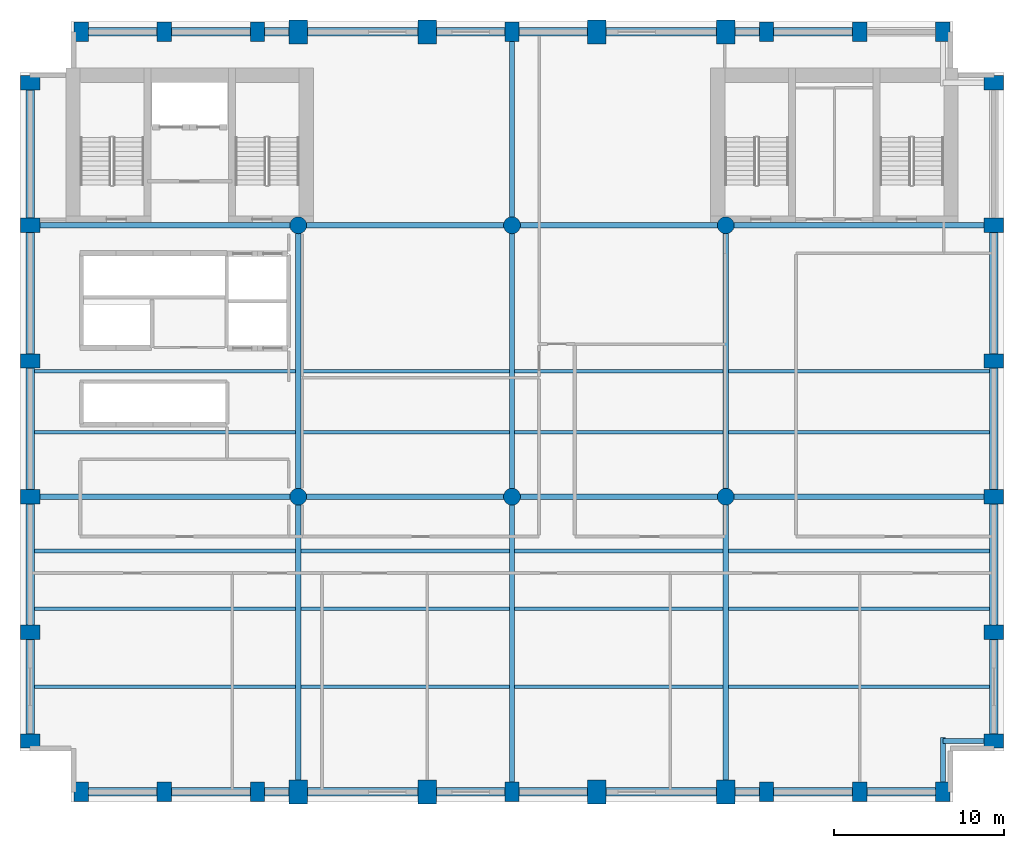
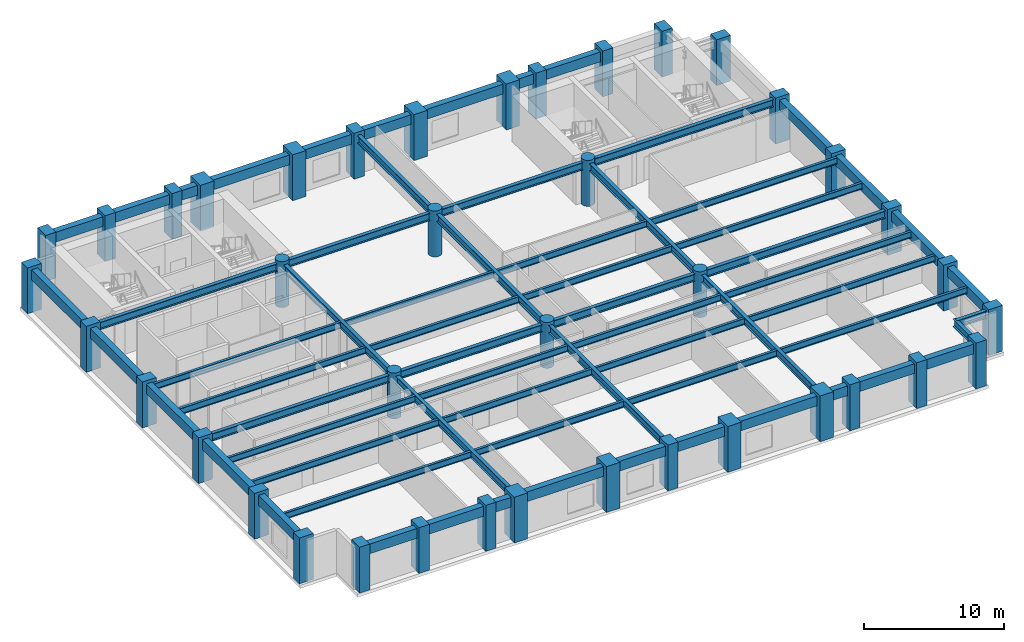
# One storey, part 1 of 7: 65 beams, 40 columns.
"""IFC4 building model written with IfcOpenShell, lengths in metres."""

import ifcopenshell
import ifcopenshell.guid

model = None  # the IFC model being written
_history = None  # IfcOwnerHistory: only IFC2X3 demands one
_inside = {}  # id of a spatial element -> (the spatial element, [elements in it])
_under = {}  # id of a project, library or spatial element -> (it, [spatial elements below it])
_declared = {}  # id of a project -> (the project, [libraries it declares])
_typed = {}  # id of a type object -> (the type object, [elements of that type])
_made_of = {}  # id of a material, layer set ... -> (it, [elements and type objects made of it])


def new_model(schema):
    """Start an empty IFC model of exactly this schema.

    Asked for "IFC4X3", IfcOpenShell would pick the latest addendum, in which some entities
    have other attributes; the version numbers below select the first issue.
    IFC2X3 requires an IfcOwnerHistory on every rooted entity: one is made here for all.
    """
    global model, _history
    if schema == "IFC4X3":
        model = ifcopenshell.file(schema_version=(4, 3, 0, 0))
    else:
        model = ifcopenshell.file(schema=schema)
    _inside.clear()
    _under.clear()
    _declared.clear()
    _typed.clear()
    _made_of.clear()
    _history = None
    if model.schema == "IFC2X3":
        org = make("IfcOrganization", Name="unknown")
        user = make(
            "IfcPersonAndOrganization",
            ThePerson=make("IfcPerson", FamilyName="unknown"),
            TheOrganization=org,
        )
        app = make(
            "IfcApplication",
            ApplicationDeveloper=org,
            Version="unknown",
            ApplicationFullName="unknown",
            ApplicationIdentifier="unknown",
        )
        _history = make(
            "IfcOwnerHistory",
            OwningUser=user,
            OwningApplication=app,
            ChangeAction="ADDED",
            CreationDate=0,
        )
    return model


def make(cls, **values):
    """One entity of the class cls with the attributes given. An attribute that is None is left unset."""
    return model.create_entity(
        cls, **{name: value for name, value in values.items() if value is not None}
    )


def rooted(cls, **values):
    """An entity with a GlobalId (a new one), such as an element, a storey or a relation."""
    return make(cls, GlobalId=ifcopenshell.guid.new(), OwnerHistory=_history, **values)


def si_unit(unit_type, name, prefix=None):
    """IfcSIUnit, for example si_unit("LENGTHUNIT", "METRE", prefix="MILLI")."""
    return make("IfcSIUnit", UnitType=unit_type, Prefix=prefix, Name=name)


def assignment(units):
    """IfcUnitAssignment: the units of a project."""
    return None if units is None else make("IfcUnitAssignment", Units=units)


def point(xyz):
    """IfcCartesianPoint."""
    return None if xyz is None else make("IfcCartesianPoint", Coordinates=xyz)


def direction(xyz):
    """IfcDirection."""
    return None if xyz is None else make("IfcDirection", DirectionRatios=xyz)


def frame(location, z_axis=None, x_axis=None):
    """IfcAxis2Placement3D, a coordinate frame: its origin and axes. An axis left out is left unset."""
    return make(
        "IfcAxis2Placement3D",
        Location=point(location),
        Axis=direction(z_axis),
        RefDirection=direction(x_axis),
    )


def frame_2d(location, x_axis=None):
    """IfcAxis2Placement2D, a coordinate frame in the plane: its origin and x axis."""
    return make(
        "IfcAxis2Placement2D", Location=point(location), RefDirection=direction(x_axis)
    )


def origin():
    """The frame at (0, 0, 0) with its axes left unset."""
    return frame((0.0, 0.0, 0.0))


def origin_2d():
    """The frame at (0, 0) in the plane with its x axis left unset."""
    return frame_2d((0.0, 0.0))


def place(relative_to, where):
    """IfcLocalPlacement: puts the frame where relative to a parent placement (None: the world)."""
    return make(
        "IfcLocalPlacement", PlacementRelTo=relative_to, RelativePlacement=where
    )


def context(
    kind, dimensions, precision=None, world=None, true_north=None, identifier=None
):
    """IfcGeometricRepresentationContext, for example the 3D "Model" context."""
    return make(
        "IfcGeometricRepresentationContext",
        ContextIdentifier=identifier,
        ContextType=kind,
        CoordinateSpaceDimension=dimensions,
        Precision=precision,
        WorldCoordinateSystem=world,
        TrueNorth=true_north,
    )


def subcontext(parent, identifier, kind, view, scale=None):
    """IfcGeometricRepresentationSubContext, for example "Body" below "Model"."""
    return make(
        "IfcGeometricRepresentationSubContext",
        ContextIdentifier=identifier,
        ContextType=kind,
        ParentContext=parent,
        TargetScale=scale,
        TargetView=view,
    )


def project(units=None, contexts=None):
    """IfcProject with its units and contexts."""
    return rooted(
        "IfcProject",
        Name="project",
        RepresentationContexts=contexts,
        UnitsInContext=assignment(units),
    )


def spatial(cls, under=None, at=None, **own):
    """A site, building, storey or space (cls), placed at a placement, below another one or the project."""
    s = rooted(cls, ObjectPlacement=at, **own)
    if under is not None:
        _under.setdefault(under.id(), (under, []))[1].append(s)
    return s


def profile(cls, at=None, kind="AREA", **sizes):
    """A parametric profile (cls). Its sizes go by their IFC names, for example OverallWidth=200.0."""
    return make(cls, ProfileType=kind, Position=at, **sizes)


def rectangle(**sizes):
    """IfcRectangleProfileDef."""
    return profile("IfcRectangleProfileDef", **sizes)


def circle(**sizes):
    """IfcCircleProfileDef."""
    return profile("IfcCircleProfileDef", **sizes)


def i_section(**sizes):
    """IfcIShapeProfileDef."""
    return profile("IfcIShapeProfileDef", **sizes)


def extrude(swept, where, along, depth):
    """IfcExtrudedAreaSolid: the profile swept, set in the frame where, extruded along a direction by depth."""
    return make(
        "IfcExtrudedAreaSolid",
        SweptArea=swept,
        Position=where,
        ExtrudedDirection=direction(along),
        Depth=depth,
    )


def shape(context_of_items, identifier, shape_type, items):
    """IfcShapeRepresentation: the items that make up one representation, for example the "Body"."""
    return make(
        "IfcShapeRepresentation",
        ContextOfItems=context_of_items,
        RepresentationIdentifier=identifier,
        RepresentationType=shape_type,
        Items=items,
    )


def material(Name=None, Category=None):
    """IfcMaterial."""
    return make("IfcMaterial", Name=Name, Category=Category)


def material_profile(
    of_material, cross_section, Name=None, Category=None, Priority=None
):
    """IfcMaterialProfile: a cross section and its material."""
    return make(
        "IfcMaterialProfile",
        Name=Name,
        Material=of_material,
        Profile=cross_section,
        Priority=Priority,
        Category=Category,
    )


def profile_set(profiles, Name=None, composite=None):
    """IfcMaterialProfileSet."""
    return make(
        "IfcMaterialProfileSet",
        Name=Name,
        MaterialProfiles=profiles,
        CompositeProfile=composite,
    )


def made_of(thing, what):
    """Note that an element or type object is made of a material, layer set ...; save() writes the relation."""
    if what is not None:
        _made_of.setdefault(what.id(), (what, []))[1].append(thing)
    return thing


def type_object(cls, material=None, **own):
    """A type object (cls), such as IfcWallType, which elements share."""
    return made_of(rooted(cls, **own), material)


def element(
    cls,
    number,
    at=None,
    inside=None,
    cuts=None,
    type_object=None,
    material=None,
    context=None,
    identifier="Body",
    shape_type=None,
    held_by="IfcProductDefinitionShape",
    body=None,
    shapes=None,
    **own,
):
    """One element of the class cls, such as IfcWall. Its Tag is "e" and its number.

    at: its placement. inside: the storey or other place that contains it. cuts: it is an
    opening in that element (IfcRelVoidsElement). A single representation is given by context,
    identifier, shape_type and body (its items); several are given by shapes. held_by: the class
    of the entity that holds the representations. save() writes the other relations.
    """
    e = rooted(cls, Tag="e%d" % number, ObjectPlacement=at, **own)
    if body is not None:
        shapes = [shape(context, identifier, shape_type, body)]
    if shapes is not None:
        e.Representation = make(held_by, Representations=shapes)
    if inside is not None:
        _inside.setdefault(inside.id(), (inside, []))[1].append(e)
    if cuts is not None:
        rooted(
            "IfcRelVoidsElement", RelatingBuildingElement=cuts, RelatedOpeningElement=e
        )
    if type_object is not None:
        _typed.setdefault(type_object.id(), (type_object, []))[1].append(e)
    return made_of(e, material)


def aggregate(whole, parts):
    """IfcRelAggregates: a whole, such as a stair, and the parts it consists of."""
    return rooted("IfcRelAggregates", RelatingObject=whole, RelatedObjects=parts)


def save(model, path):
    """Write the relations noted so far, then the file.

    IfcRelAggregates (storeys below a building ...), IfcRelContainedInSpatialStructure (elements
    in a storey), IfcRelDefinesByType, IfcRelAssociatesMaterial and IfcRelDeclares: one each for
    every whole, place, type object, material and project.
    """
    for whole, parts in _under.values():
        aggregate(whole, parts)
    for where, things in _inside.values():
        rooted(
            "IfcRelContainedInSpatialStructure",
            RelatedElements=things,
            RelatingStructure=where,
        )
    for kind, things in _typed.values():
        rooted("IfcRelDefinesByType", RelatedObjects=things, RelatingType=kind)
    for what, things in _made_of.values():
        rooted("IfcRelAssociatesMaterial", RelatedObjects=things, RelatingMaterial=what)
    for by, libraries in _declared.values():
        rooted("IfcRelDeclares", RelatingContext=by, RelatedDefinitions=libraries)
    model.write(path)


model = new_model("IFC4")

# Units and contexts
model_context = context("Model", 3, precision=1e-05, world=origin(), true_north=direction((0.0, 1.0)))
body_context = subcontext(model_context, "Body", "Model", "MODEL_VIEW")
ifc_project = project(units=[si_unit("LENGTHUNIT", "METRE"), si_unit("AREAUNIT", "SQUARE_METRE"), si_unit("VOLUMEUNIT", "CUBIC_METRE"), si_unit("PLANEANGLEUNIT", "RADIAN"), si_unit("MASSUNIT", "GRAM", prefix="KILO")], contexts=[model_context])

# Site, building, storey
site_placement = place(None, origin())
site = spatial("IfcSite", under=ifc_project, at=site_placement, CompositionType="ELEMENT")
building_placement = place(site_placement, origin())
building = spatial("IfcBuilding", under=site, at=building_placement, Name="Sulina Concourse Tower", CompositionType="ELEMENT")
storey_placement = place(building_placement, frame((0.0, 0.0, 92.60009765625)))
storey = spatial("IfcBuildingStorey", under=building, at=storey_placement, Name="L22", CompositionType="ELEMENT", Elevation=92.60009765625)

# Columns
ifc_material_1 = material(Name="Concrete C60/75", Category="concrete")
ifc_material_profile_1 = material_profile(ifc_material_1, circle(Radius=0.5, at=origin_2d()), Name="RC D1000")
ifc_profile_set_1 = profile_set([ifc_material_profile_1], Name="Concrete C60/75")
column_type_1 = type_object("IfcColumnType", Name="Lower Interior Circular Column D1000", PredefinedType="COLUMN", material=ifc_profile_set_1)
for number, where, z_axis, x_axis, name in (
    (1, (16.39990234375, 18.0, 0.0), (0.0, 0.0, 1.0), (1.0, 0.0, 0.0), "L22 structural column IC-M-164"),
    (2, (16.39990234375, 34.0, 0.0), (0.0, 0.0, 1.0), (1.0, 0.0, 0.0), "L22 structural column IC-N-164"),
    (3, (29.0, 18.0, 0.0), (0.0, 0.0, 1.0), (1.0, 0.0, 0.0), "L22 structural column IC-M-290"),
    (4, (29.0, 34.0, 0.0), (0.0, 0.0, 1.0), (1.0, 0.0, 0.0), "L22 structural column IC-N-290"),
    (5, (41.60009765625, 18.0, 0.0), (0.0, 0.0, 1.0), (1.0, 0.0, 0.0), "L22 structural column IC-M-416"),
    (6, (41.60009765625, 34.0, 0.0), (0.0, 0.0, 1.0), (1.0, 0.0, 0.0), "L22 structural column IC-N-416"),
):
    element("IfcColumn", number, at=place(storey_placement, frame(where, z_axis=z_axis, x_axis=x_axis)), inside=storey, type_object=column_type_1, Name=name, PredefinedType="COLUMN", context=body_context, shape_type="SweptSolid", body=[
        extrude(circle(Radius=0.5, at=origin_2d()), origin(), (0.0, 0.0, 1.0), 4.0),
    ])
ifc_material_2 = material(Name="Concrete C60/75", Category="concrete")
ifc_material_profile_2 = material_profile(ifc_material_2, rectangle(XDim=1.10009765625, YDim=1.39990234375, at=origin_2d()), Name="RC 1100x1400")
ifc_profile_set_2 = profile_set([ifc_material_profile_2], Name="Concrete C60/75")
column_type_2 = type_object("IfcColumnType", Name="Mid-Rise Portal Column 1100x1400", PredefinedType="COLUMN", material=ifc_profile_set_2)
for number, where, z_axis, x_axis, name in (
    (7, (16.39990234375, 0.60009765625, 0.0), (0.0, 0.0, 1.0), (1.0, 0.0, 0.0), "L22 structural column TP-S-164"),
    (8, (16.39990234375, 45.39990234375, 0.0), (0.0, 0.0, 1.0), (1.0, 0.0, 0.0), "L22 structural column TP-N-164"),
    (9, (24.0, 0.60009765625, 0.0), (0.0, 0.0, 1.0), (1.0, 0.0, 0.0), "L22 structural column TP-S-240"),
    (10, (24.0, 45.39990234375, 0.0), (0.0, 0.0, 1.0), (1.0, 0.0, 0.0), "L22 structural column TP-N-240"),
    (11, (34.0, 0.60009765625, 0.0), (0.0, 0.0, 1.0), (1.0, 0.0, 0.0), "L22 structural column TP-S-340"),
    (12, (34.0, 45.39990234375, 0.0), (0.0, 0.0, 1.0), (1.0, 0.0, 0.0), "L22 structural column TP-N-340"),
    (13, (41.60009765625, 0.60009765625, 0.0), (0.0, 0.0, 1.0), (1.0, 0.0, 0.0), "L22 structural column TP-S-416"),
    (14, (41.60009765625, 45.39990234375, 0.0), (0.0, 0.0, 1.0), (1.0, 0.0, 0.0), "L22 structural column TP-N-416"),
):
    element("IfcColumn", number, at=place(storey_placement, frame(where, z_axis=z_axis, x_axis=x_axis)), inside=storey, type_object=column_type_2, Name=name, PredefinedType="COLUMN", context=body_context, shape_type="SweptSolid", body=[
        extrude(rectangle(XDim=1.10009765625, YDim=1.39990234375, at=origin_2d()), origin(), (0.0, 0.0, 1.0), 4.0),
    ])
ifc_material_3 = material(Name="Precast concrete C60/75", Category="concrete")
ifc_material_profile_3 = material_profile(ifc_material_3, rectangle(XDim=0.85009765625, YDim=1.14990234375, at=origin_2d()), Name="PC 850x1150")
ifc_profile_set_3 = profile_set([ifc_material_profile_3], Name="Precast concrete C60/75")
column_type_3 = type_object("IfcColumnType", Name="Precast Tube Pier Zone 2 850x1150", PredefinedType="COLUMN", material=ifc_profile_set_3)
for number, where, z_axis, x_axis, name in (
    (15, (3.60009765625, 0.60009765625, 0.0), (0.0, 0.0, 1.0), (1.0, 0.0, 0.0), "L22 structural column TP-S-36"),
    (16, (3.60009765625, 45.39990234375, 0.0), (0.0, 0.0, 1.0), (1.0, 0.0, 0.0), "L22 structural column TP-N-36"),
    (17, (8.5, 0.60009765625, 0.0), (0.0, 0.0, 1.0), (1.0, 0.0, 0.0), "L22 structural column TP-S-85"),
    (18, (8.5, 45.39990234375, 0.0), (0.0, 0.0, 1.0), (1.0, 0.0, 0.0), "L22 structural column TP-N-85"),
    (19, (14.0, 0.60009765625, 0.0), (0.0, 0.0, 1.0), (1.0, 0.0, 0.0), "L22 structural column TP-S-140"),
    (20, (14.0, 45.39990234375, 0.0), (0.0, 0.0, 1.0), (1.0, 0.0, 0.0), "L22 structural column TP-N-140"),
    (21, (29.0, 0.60009765625, 0.0), (0.0, 0.0, 1.0), (1.0, 0.0, 0.0), "L22 structural column TP-S-290"),
    (22, (29.0, 45.39990234375, 0.0), (0.0, 0.0, 1.0), (1.0, 0.0, 0.0), "L22 structural column TP-N-290"),
    (23, (44.0, 0.60009765625, 0.0), (0.0, 0.0, 1.0), (1.0, 0.0, 0.0), "L22 structural column TP-S-440"),
    (24, (44.0, 45.39990234375, 0.0), (0.0, 0.0, 1.0), (1.0, 0.0, 0.0), "L22 structural column TP-N-440"),
    (25, (49.5, 0.60009765625, 0.0), (0.0, 0.0, 1.0), (1.0, 0.0, 0.0), "L22 structural column TP-S-495"),
    (26, (49.5, 45.39990234375, 0.0), (0.0, 0.0, 1.0), (1.0, 0.0, 0.0), "L22 structural column TP-N-495"),
    (27, (54.39990234375, 0.60009765625, 0.0), (0.0, 0.0, 1.0), (1.0, 0.0, 0.0), "L22 structural column TP-S-544"),
    (28, (54.39990234375, 45.39990234375, 0.0), (0.0, 0.0, 1.0), (1.0, 0.0, 0.0), "L22 structural column TP-N-544"),
    (29, (0.60009765625, 3.60009765625, 0.0), (0.0, 0.0, 1.0), (0.0, 1.0, 0.0), "L22 structural column TP-W-36"),
    (30, (57.39990234375, 3.60009765625, 0.0), (0.0, 0.0, 1.0), (0.0, 1.0, 0.0), "L22 structural column TP-E-36"),
    (31, (0.60009765625, 10.0, 0.0), (0.0, 0.0, 1.0), (0.0, 1.0, 0.0), "L22 structural column TP-W-100"),
    (32, (57.39990234375, 10.0, 0.0), (0.0, 0.0, 1.0), (0.0, 1.0, 0.0), "L22 structural column TP-E-100"),
    (33, (0.60009765625, 18.0, 0.0), (0.0, 0.0, 1.0), (0.0, 1.0, 0.0), "L22 structural column TP-W-180"),
    (34, (57.39990234375, 18.0, 0.0), (0.0, 0.0, 1.0), (0.0, 1.0, 0.0), "L22 structural column TP-E-180"),
    (35, (0.60009765625, 26.0, 0.0), (0.0, 0.0, 1.0), (0.0, 1.0, 0.0), "L22 structural column TP-W-260"),
    (36, (57.39990234375, 26.0, 0.0), (0.0, 0.0, 1.0), (0.0, 1.0, 0.0), "L22 structural column TP-E-260"),
    (37, (0.60009765625, 34.0, 0.0), (0.0, 0.0, 1.0), (0.0, 1.0, 0.0), "L22 structural column TP-W-340"),
    (38, (57.39990234375, 34.0, 0.0), (0.0, 0.0, 1.0), (0.0, 1.0, 0.0), "L22 structural column TP-E-340"),
    (39, (0.60009765625, 42.39990234375, 0.0), (0.0, 0.0, 1.0), (0.0, 1.0, 0.0), "L22 structural column TP-W-424"),
    (40, (57.39990234375, 42.39990234375, 0.0), (0.0, 0.0, 1.0), (0.0, 1.0, 0.0), "L22 structural column TP-E-424"),
):
    element("IfcColumn", number, at=place(storey_placement, frame(where, z_axis=z_axis, x_axis=x_axis)), inside=storey, type_object=column_type_3, Name=name, PredefinedType="COLUMN", context=body_context, shape_type="SweptSolid", body=[
        extrude(rectangle(XDim=0.85009765625, YDim=1.14990234375, at=origin_2d()), origin(), (0.0, 0.0, 1.0), 4.0),
    ])

# Beams
ifc_material_4 = material(Name="Steel S355", Category="steel")
ifc_material_profile_4 = material_profile(ifc_material_4, i_section(OverallWidth=0.2099609375, OverallDepth=0.550048828125, WebThickness=0.010986328125, FlangeThickness=0.01708984375, at=origin_2d()), Name="IPE 550")
ifc_profile_set_4 = profile_set([ifc_material_profile_4], Name="Steel S355")
beam_type_1 = type_object("IfcBeamType", Name="Composite Floor Joist IPE550", PredefinedType="JOIST", material=ifc_profile_set_4)
beam_1_placement = place(storey_placement, frame((0.85009765625, 6.800048828125, 3.449951171875), z_axis=(1.0, 0.0, 0.0), x_axis=(0.0, 1.0, 0.0)))
element("IfcBeam", 41, at=beam_1_placement, inside=storey, type_object=beam_type_1, Name="FJ-J06-1-L22", PredefinedType="JOIST", context=body_context, shape_type="SweptSolid", body=[
    extrude(i_section(OverallWidth=0.2099609375, OverallDepth=0.550048828125, WebThickness=0.010986328125, FlangeThickness=0.01708984375, at=origin_2d()), origin(), (0.0, 0.0, 1.0), 15.39990234375),
])
for number, where, z_axis, x_axis, name in (
    (42, (16.550048828125, 6.800048828125, 3.449951171875), (1.0, 0.0, 0.0), (0.0, 1.0, 0.0), "FJ-J06-2-L22"),
    (43, (29.14990234375, 6.800048828125, 3.449951171875), (1.0, 0.0, 0.0), (0.0, 1.0, 0.0), "FJ-J06-3-L22"),
):
    element("IfcBeam", number, at=place(storey_placement, frame(where, z_axis=z_axis, x_axis=x_axis)), inside=storey, type_object=beam_type_1, Name=name, PredefinedType="JOIST", context=body_context, shape_type="SweptSolid", body=[
        extrude(i_section(OverallWidth=0.2099609375, OverallDepth=0.550048828125, WebThickness=0.010986328125, FlangeThickness=0.01708984375, at=origin_2d()), origin(), (0.0, 0.0, 1.0), 12.300048828125),
    ])
for number, where, z_axis, x_axis, name in (
    (44, (41.75, 6.800048828125, 3.449951171875), (1.0, 0.0, 0.0), (0.0, 1.0, 0.0), "FJ-J06-4-L22"),
    (45, (0.85009765625, 11.39990234375, 3.449951171875), (1.0, 0.0, 0.0), (0.0, 1.0, 0.0), "FJ-J11-1-L22"),
):
    element("IfcBeam", number, at=place(storey_placement, frame(where, z_axis=z_axis, x_axis=x_axis)), inside=storey, type_object=beam_type_1, Name=name, PredefinedType="JOIST", context=body_context, shape_type="SweptSolid", body=[
        extrude(i_section(OverallWidth=0.2099609375, OverallDepth=0.550048828125, WebThickness=0.010986328125, FlangeThickness=0.01708984375, at=origin_2d()), origin(), (0.0, 0.0, 1.0), 15.39990234375),
    ])
for number, where, z_axis, x_axis, name in (
    (46, (16.550048828125, 11.39990234375, 3.449951171875), (1.0, 0.0, 0.0), (0.0, 1.0, 0.0), "FJ-J11-2-L22"),
    (47, (29.14990234375, 11.39990234375, 3.449951171875), (1.0, 0.0, 0.0), (0.0, 1.0, 0.0), "FJ-J11-3-L22"),
):
    element("IfcBeam", number, at=place(storey_placement, frame(where, z_axis=z_axis, x_axis=x_axis)), inside=storey, type_object=beam_type_1, Name=name, PredefinedType="JOIST", context=body_context, shape_type="SweptSolid", body=[
        extrude(i_section(OverallWidth=0.2099609375, OverallDepth=0.550048828125, WebThickness=0.010986328125, FlangeThickness=0.01708984375, at=origin_2d()), origin(), (0.0, 0.0, 1.0), 12.300048828125),
    ])
for number, where, z_axis, x_axis, name in (
    (48, (41.75, 11.39990234375, 3.449951171875), (1.0, 0.0, 0.0), (0.0, 1.0, 0.0), "FJ-J11-4-L22"),
    (49, (0.85009765625, 14.800048828125, 3.449951171875), (1.0, 0.0, 0.0), (0.0, 1.0, 0.0), "FJ-J15-1-L22"),
):
    element("IfcBeam", number, at=place(storey_placement, frame(where, z_axis=z_axis, x_axis=x_axis)), inside=storey, type_object=beam_type_1, Name=name, PredefinedType="JOIST", context=body_context, shape_type="SweptSolid", body=[
        extrude(i_section(OverallWidth=0.2099609375, OverallDepth=0.550048828125, WebThickness=0.010986328125, FlangeThickness=0.01708984375, at=origin_2d()), origin(), (0.0, 0.0, 1.0), 15.39990234375),
    ])
for number, where, z_axis, x_axis, name in (
    (50, (16.550048828125, 14.800048828125, 3.449951171875), (1.0, 0.0, 0.0), (0.0, 1.0, 0.0), "FJ-J15-2-L22"),
    (51, (29.14990234375, 14.800048828125, 3.449951171875), (1.0, 0.0, 0.0), (0.0, 1.0, 0.0), "FJ-J15-3-L22"),
):
    element("IfcBeam", number, at=place(storey_placement, frame(where, z_axis=z_axis, x_axis=x_axis)), inside=storey, type_object=beam_type_1, Name=name, PredefinedType="JOIST", context=body_context, shape_type="SweptSolid", body=[
        extrude(i_section(OverallWidth=0.2099609375, OverallDepth=0.550048828125, WebThickness=0.010986328125, FlangeThickness=0.01708984375, at=origin_2d()), origin(), (0.0, 0.0, 1.0), 12.300048828125),
    ])
for number, where, z_axis, x_axis, name in (
    (52, (41.75, 14.800048828125, 3.449951171875), (1.0, 0.0, 0.0), (0.0, 1.0, 0.0), "FJ-J15-4-L22"),
    (53, (0.85009765625, 21.800048828125, 3.449951171875), (1.0, 0.0, 0.0), (0.0, 1.0, 0.0), "FJ-J22-1-L22"),
):
    element("IfcBeam", number, at=place(storey_placement, frame(where, z_axis=z_axis, x_axis=x_axis)), inside=storey, type_object=beam_type_1, Name=name, PredefinedType="JOIST", context=body_context, shape_type="SweptSolid", body=[
        extrude(i_section(OverallWidth=0.2099609375, OverallDepth=0.550048828125, WebThickness=0.010986328125, FlangeThickness=0.01708984375, at=origin_2d()), origin(), (0.0, 0.0, 1.0), 15.39990234375),
    ])
for number, where, z_axis, x_axis, name in (
    (54, (16.550048828125, 21.800048828125, 3.449951171875), (1.0, 0.0, 0.0), (0.0, 1.0, 0.0), "FJ-J22-2-L22"),
    (55, (29.14990234375, 21.800048828125, 3.449951171875), (1.0, 0.0, 0.0), (0.0, 1.0, 0.0), "FJ-J22-3-L22"),
):
    element("IfcBeam", number, at=place(storey_placement, frame(where, z_axis=z_axis, x_axis=x_axis)), inside=storey, type_object=beam_type_1, Name=name, PredefinedType="JOIST", context=body_context, shape_type="SweptSolid", body=[
        extrude(i_section(OverallWidth=0.2099609375, OverallDepth=0.550048828125, WebThickness=0.010986328125, FlangeThickness=0.01708984375, at=origin_2d()), origin(), (0.0, 0.0, 1.0), 12.300048828125),
    ])
for number, where, z_axis, x_axis, name in (
    (56, (41.75, 21.800048828125, 3.449951171875), (1.0, 0.0, 0.0), (0.0, 1.0, 0.0), "FJ-J22-4-L22"),
    (57, (0.85009765625, 25.39990234375, 3.449951171875), (1.0, 0.0, 0.0), (0.0, 1.0, 0.0), "FJ-J25-1-L22"),
):
    element("IfcBeam", number, at=place(storey_placement, frame(where, z_axis=z_axis, x_axis=x_axis)), inside=storey, type_object=beam_type_1, Name=name, PredefinedType="JOIST", context=body_context, shape_type="SweptSolid", body=[
        extrude(i_section(OverallWidth=0.2099609375, OverallDepth=0.550048828125, WebThickness=0.010986328125, FlangeThickness=0.01708984375, at=origin_2d()), origin(), (0.0, 0.0, 1.0), 15.39990234375),
    ])
for number, where, z_axis, x_axis, name in (
    (58, (16.550048828125, 25.39990234375, 3.449951171875), (1.0, 0.0, 0.0), (0.0, 1.0, 0.0), "FJ-J25-2-L22"),
    (59, (29.14990234375, 25.39990234375, 3.449951171875), (1.0, 0.0, 0.0), (0.0, 1.0, 0.0), "FJ-J25-3-L22"),
):
    element("IfcBeam", number, at=place(storey_placement, frame(where, z_axis=z_axis, x_axis=x_axis)), inside=storey, type_object=beam_type_1, Name=name, PredefinedType="JOIST", context=body_context, shape_type="SweptSolid", body=[
        extrude(i_section(OverallWidth=0.2099609375, OverallDepth=0.550048828125, WebThickness=0.010986328125, FlangeThickness=0.01708984375, at=origin_2d()), origin(), (0.0, 0.0, 1.0), 12.300048828125),
    ])
beam_2_placement = place(storey_placement, frame((41.75, 25.39990234375, 3.449951171875), z_axis=(1.0, 0.0, 0.0), x_axis=(0.0, 1.0, 0.0)))
element("IfcBeam", 60, at=beam_2_placement, inside=storey, type_object=beam_type_1, Name="FJ-J25-4-L22", PredefinedType="JOIST", context=body_context, shape_type="SweptSolid", body=[
    extrude(i_section(OverallWidth=0.2099609375, OverallDepth=0.550048828125, WebThickness=0.010986328125, FlangeThickness=0.01708984375, at=origin_2d()), origin(), (0.0, 0.0, 1.0), 15.39990234375),
])
ifc_material_5 = material(Name="Steel S355", Category="steel")
ifc_material_profile_5 = material_profile(ifc_material_5, i_section(OverallWidth=0.300048828125, OverallDepth=0.64990234375, WebThickness=0.01611328125, FlangeThickness=0.031005859375, at=origin_2d()), Name="HE 650 B")
ifc_profile_set_5 = profile_set([ifc_material_profile_5], Name="Steel S355")
beam_type_2 = type_object("IfcBeamType", Name="Floor Primary Girder Zone 2 HE650B", PredefinedType="BEAM", material=ifc_profile_set_5)
beam_3_placement = place(storey_placement, frame((54.39990234375, 3.60009765625, 3.39990234375), z_axis=(1.0, 0.0, 0.0), x_axis=(0.0, 1.0, 0.0)))
element("IfcBeam", 61, at=beam_3_placement, inside=storey, type_object=beam_type_2, Name="TIE-SE-L22", PredefinedType="BEAM", context=body_context, shape_type="SweptSolid", body=[
    extrude(i_section(OverallWidth=0.300048828125, OverallDepth=0.64990234375, WebThickness=0.01611328125, FlangeThickness=0.031005859375, at=origin_2d()), origin(), (0.0, 0.0, 1.0), 2.59521484375),
])
beam_4_placement = place(storey_placement, frame((54.39990234375, 1.0048828125, 3.39990234375), z_axis=(0.0, 1.0, 0.0), x_axis=(-1.0, 0.0, 0.0)))
element("IfcBeam", 62, at=beam_4_placement, inside=storey, type_object=beam_type_2, Name="TIE-SES-L22", PredefinedType="BEAM", context=body_context, shape_type="SweptSolid", body=[
    extrude(i_section(OverallWidth=0.300048828125, OverallDepth=0.64990234375, WebThickness=0.01611328125, FlangeThickness=0.031005859375, at=origin_2d()), origin(), (0.0, 0.0, 1.0), 2.795166015625),
])
beam_5_placement = place(storey_placement, frame((1.0048828125, 18.0, 3.39990234375), z_axis=(1.0, 0.0, 0.0), x_axis=(0.0, 1.0, 0.0)))
element("IfcBeam", 63, at=beam_5_placement, inside=storey, type_object=beam_type_2, Name="FG-EW1-L22", PredefinedType="BEAM", context=body_context, shape_type="SweptSolid", body=[
    extrude(i_section(OverallWidth=0.300048828125, OverallDepth=0.64990234375, WebThickness=0.01611328125, FlangeThickness=0.031005859375, at=origin_2d()), origin(), (0.0, 0.0, 1.0), 14.9150390625),
])
for number, where, z_axis, x_axis, name in (
    (64, (16.8798828125, 18.0, 3.39990234375), (1.0, 0.0, 0.0), (0.0, 1.0, 0.0), "FG-EW2-L22"),
    (65, (29.47998046875, 18.0, 3.39990234375), (1.0, 0.0, 0.0), (0.0, 1.0, 0.0), "FG-EW3-L22"),
):
    element("IfcBeam", number, at=place(storey_placement, frame(where, z_axis=z_axis, x_axis=x_axis)), inside=storey, type_object=beam_type_2, Name=name, PredefinedType="BEAM", context=body_context, shape_type="SweptSolid", body=[
        extrude(i_section(OverallWidth=0.300048828125, OverallDepth=0.64990234375, WebThickness=0.01611328125, FlangeThickness=0.031005859375, at=origin_2d()), origin(), (0.0, 0.0, 1.0), 11.64013671875),
    ])
for number, where, z_axis, x_axis, name in (
    (66, (42.080078125, 18.0, 3.39990234375), (1.0, 0.0, 0.0), (0.0, 1.0, 0.0), "FG-EW4-L22"),
    (67, (1.0048828125, 34.0, 3.39990234375), (1.0, 0.0, 0.0), (0.0, 1.0, 0.0), "FG-EWN1-L22"),
):
    element("IfcBeam", number, at=place(storey_placement, frame(where, z_axis=z_axis, x_axis=x_axis)), inside=storey, type_object=beam_type_2, Name=name, PredefinedType="BEAM", context=body_context, shape_type="SweptSolid", body=[
        extrude(i_section(OverallWidth=0.300048828125, OverallDepth=0.64990234375, WebThickness=0.01611328125, FlangeThickness=0.031005859375, at=origin_2d()), origin(), (0.0, 0.0, 1.0), 14.9150390625),
    ])
for number, where, z_axis, x_axis, name in (
    (68, (16.8798828125, 34.0, 3.39990234375), (1.0, 0.0, 0.0), (0.0, 1.0, 0.0), "FG-EWN2-L22"),
    (69, (29.47998046875, 34.0, 3.39990234375), (1.0, 0.0, 0.0), (0.0, 1.0, 0.0), "FG-EWN3-L22"),
):
    element("IfcBeam", number, at=place(storey_placement, frame(where, z_axis=z_axis, x_axis=x_axis)), inside=storey, type_object=beam_type_2, Name=name, PredefinedType="BEAM", context=body_context, shape_type="SweptSolid", body=[
        extrude(i_section(OverallWidth=0.300048828125, OverallDepth=0.64990234375, WebThickness=0.01611328125, FlangeThickness=0.031005859375, at=origin_2d()), origin(), (0.0, 0.0, 1.0), 11.64013671875),
    ])
beam_6_placement = place(storey_placement, frame((42.080078125, 34.0, 3.39990234375), z_axis=(1.0, 0.0, 0.0), x_axis=(0.0, 1.0, 0.0)))
element("IfcBeam", 70, at=beam_6_placement, inside=storey, type_object=beam_type_2, Name="FG-EWN4-L22", PredefinedType="BEAM", context=body_context, shape_type="SweptSolid", body=[
    extrude(i_section(OverallWidth=0.300048828125, OverallDepth=0.64990234375, WebThickness=0.01611328125, FlangeThickness=0.031005859375, at=origin_2d()), origin(), (0.0, 0.0, 1.0), 14.9150390625),
])
beam_7_placement = place(storey_placement, frame((16.39990234375, 1.1298828125, 3.39990234375), z_axis=(0.0, 1.0, 0.0), x_axis=(-1.0, 0.0, 0.0)))
element("IfcBeam", 71, at=beam_7_placement, inside=storey, type_object=beam_type_2, Name="FG-NSA-16-L22", PredefinedType="BEAM", context=body_context, shape_type="SweptSolid", body=[
    extrude(i_section(OverallWidth=0.300048828125, OverallDepth=0.64990234375, WebThickness=0.01611328125, FlangeThickness=0.031005859375, at=origin_2d()), origin(), (0.0, 0.0, 1.0), 16.39013671875),
])
beam_8_placement = place(storey_placement, frame((16.39990234375, 18.47998046875, 3.39990234375), z_axis=(0.0, 1.0, 0.0), x_axis=(-1.0, 0.0, 0.0)))
element("IfcBeam", 72, at=beam_8_placement, inside=storey, type_object=beam_type_2, Name="FG-NSB-16-L22", PredefinedType="BEAM", context=body_context, shape_type="SweptSolid", body=[
    extrude(i_section(OverallWidth=0.300048828125, OverallDepth=0.64990234375, WebThickness=0.01611328125, FlangeThickness=0.031005859375, at=origin_2d()), origin(), (0.0, 0.0, 1.0), 15.0400390625),
])
beam_9_placement = place(storey_placement, frame((29.0, 1.0048828125, 3.39990234375), z_axis=(0.0, 1.0, 0.0), x_axis=(-1.0, 0.0, 0.0)))
element("IfcBeam", 73, at=beam_9_placement, inside=storey, type_object=beam_type_2, Name="FG-NSA-29-L22", PredefinedType="BEAM", context=body_context, shape_type="SweptSolid", body=[
    extrude(i_section(OverallWidth=0.300048828125, OverallDepth=0.64990234375, WebThickness=0.01611328125, FlangeThickness=0.031005859375, at=origin_2d()), origin(), (0.0, 0.0, 1.0), 16.51513671875),
])
beam_10_placement = place(storey_placement, frame((29.0, 18.47998046875, 3.39990234375), z_axis=(0.0, 1.0, 0.0), x_axis=(-1.0, 0.0, 0.0)))
element("IfcBeam", 74, at=beam_10_placement, inside=storey, type_object=beam_type_2, Name="FG-NSB-29-L22", PredefinedType="BEAM", context=body_context, shape_type="SweptSolid", body=[
    extrude(i_section(OverallWidth=0.300048828125, OverallDepth=0.64990234375, WebThickness=0.01611328125, FlangeThickness=0.031005859375, at=origin_2d()), origin(), (0.0, 0.0, 1.0), 15.0400390625),
])
beam_11_placement = place(storey_placement, frame((29.0, 34.47998046875, 3.39990234375), z_axis=(0.0, 1.0, 0.0), x_axis=(-1.0, 0.0, 0.0)))
element("IfcBeam", 75, at=beam_11_placement, inside=storey, type_object=beam_type_2, Name="FG-NSC-29-L22", PredefinedType="BEAM", context=body_context, shape_type="SweptSolid", body=[
    extrude(i_section(OverallWidth=0.300048828125, OverallDepth=0.64990234375, WebThickness=0.01611328125, FlangeThickness=0.031005859375, at=origin_2d()), origin(), (0.0, 0.0, 1.0), 10.51513671875),
])
beam_12_placement = place(storey_placement, frame((41.60009765625, 1.1298828125, 3.39990234375), z_axis=(0.0, 1.0, 0.0), x_axis=(-1.0, 0.0, 0.0)))
element("IfcBeam", 76, at=beam_12_placement, inside=storey, type_object=beam_type_2, Name="FG-NSA-41-L22", PredefinedType="BEAM", context=body_context, shape_type="SweptSolid", body=[
    extrude(i_section(OverallWidth=0.300048828125, OverallDepth=0.64990234375, WebThickness=0.01611328125, FlangeThickness=0.031005859375, at=origin_2d()), origin(), (0.0, 0.0, 1.0), 16.39013671875),
])
beam_13_placement = place(storey_placement, frame((41.60009765625, 18.47998046875, 3.39990234375), z_axis=(0.0, 1.0, 0.0), x_axis=(-1.0, 0.0, 0.0)))
element("IfcBeam", 77, at=beam_13_placement, inside=storey, type_object=beam_type_2, Name="FG-NSB-41-L22", PredefinedType="BEAM", context=body_context, shape_type="SweptSolid", body=[
    extrude(i_section(OverallWidth=0.300048828125, OverallDepth=0.64990234375, WebThickness=0.01611328125, FlangeThickness=0.031005859375, at=origin_2d()), origin(), (0.0, 0.0, 1.0), 15.0400390625),
])
ifc_material_6 = material(Name="Precast concrete C50/60", Category="concrete")
ifc_material_profile_6 = material_profile(ifc_material_6, rectangle(XDim=0.5, YDim=0.85009765625, at=origin_2d()), Name="RC 500x850")
ifc_profile_set_6 = profile_set([ifc_material_profile_6], Name="Precast concrete C50/60")
beam_type_3 = type_object("IfcBeamType", Name="Lower Precast Spandrel Edge Beam 500x850", PredefinedType="BEAM", material=ifc_profile_set_6)
beam_14_placement = place(storey_placement, frame((4.0048828125, 0.60009765625, 3.2998046875), z_axis=(1.0, 0.0, 0.0), x_axis=(0.0, 1.0, 0.0)))
element("IfcBeam", 78, at=beam_14_placement, inside=storey, type_object=beam_type_3, Name="SP-S1-L22", PredefinedType="BEAM", context=body_context, shape_type="SweptSolid", body=[
    extrude(rectangle(XDim=0.5, YDim=0.85009765625, at=origin_2d()), origin(), (0.0, 0.0, 1.0), 4.090087890625),
])
beam_15_placement = place(storey_placement, frame((8.905029296875, 0.60009765625, 3.2998046875), z_axis=(1.0, 0.0, 0.0), x_axis=(0.0, 1.0, 0.0)))
element("IfcBeam", 79, at=beam_15_placement, inside=storey, type_object=beam_type_3, Name="SP-S2-L22", PredefinedType="BEAM", context=body_context, shape_type="SweptSolid", body=[
    extrude(rectangle(XDim=0.5, YDim=0.85009765625, at=origin_2d()), origin(), (0.0, 0.0, 1.0), 4.68994140625),
])
beam_16_placement = place(storey_placement, frame((14.405029296875, 0.60009765625, 3.2998046875), z_axis=(1.0, 0.0, 0.0), x_axis=(0.0, 1.0, 0.0)))
element("IfcBeam", 80, at=beam_16_placement, inside=storey, type_object=beam_type_3, Name="SP-S3-L22", PredefinedType="BEAM", context=body_context, shape_type="SweptSolid", body=[
    extrude(rectangle(XDim=0.5, YDim=0.85009765625, at=origin_2d()), origin(), (0.0, 0.0, 1.0), 1.465087890625),
])
beam_17_placement = place(storey_placement, frame((16.929931640625, 0.60009765625, 3.2998046875), z_axis=(1.0, 0.0, 0.0), x_axis=(0.0, 1.0, 0.0)))
element("IfcBeam", 81, at=beam_17_placement, inside=storey, type_object=beam_type_3, Name="SP-S4-L22", PredefinedType="BEAM", context=body_context, shape_type="SweptSolid", body=[
    extrude(rectangle(XDim=0.5, YDim=0.85009765625, at=origin_2d()), origin(), (0.0, 0.0, 1.0), 6.5400390625),
])
for number, where, z_axis, x_axis, name in (
    (82, (24.530029296875, 0.60009765625, 3.2998046875), (1.0, 0.0, 0.0), (0.0, 1.0, 0.0), "SP-S5-L22"),
    (83, (29.405029296875, 0.60009765625, 3.2998046875), (1.0, 0.0, 0.0), (0.0, 1.0, 0.0), "SP-S6-L22"),
):
    element("IfcBeam", number, at=place(storey_placement, frame(where, z_axis=z_axis, x_axis=x_axis)), inside=storey, type_object=beam_type_3, Name=name, PredefinedType="BEAM", context=body_context, shape_type="SweptSolid", body=[
        extrude(rectangle(XDim=0.5, YDim=0.85009765625, at=origin_2d()), origin(), (0.0, 0.0, 1.0), 4.06494140625),
    ])
beam_18_placement = place(storey_placement, frame((34.530029296875, 0.60009765625, 3.2998046875), z_axis=(1.0, 0.0, 0.0), x_axis=(0.0, 1.0, 0.0)))
element("IfcBeam", 84, at=beam_18_placement, inside=storey, type_object=beam_type_3, Name="SP-S7-L22", PredefinedType="BEAM", context=body_context, shape_type="SweptSolid", body=[
    extrude(rectangle(XDim=0.5, YDim=0.85009765625, at=origin_2d()), origin(), (0.0, 0.0, 1.0), 6.5400390625),
])
beam_19_placement = place(storey_placement, frame((42.1298828125, 0.60009765625, 3.2998046875), z_axis=(1.0, 0.0, 0.0), x_axis=(0.0, 1.0, 0.0)))
element("IfcBeam", 85, at=beam_19_placement, inside=storey, type_object=beam_type_3, Name="SP-S8-L22", PredefinedType="BEAM", context=body_context, shape_type="SweptSolid", body=[
    extrude(rectangle(XDim=0.5, YDim=0.85009765625, at=origin_2d()), origin(), (0.0, 0.0, 1.0), 1.465087890625),
])
beam_20_placement = place(storey_placement, frame((44.405029296875, 0.60009765625, 3.2998046875), z_axis=(1.0, 0.0, 0.0), x_axis=(0.0, 1.0, 0.0)))
element("IfcBeam", 86, at=beam_20_placement, inside=storey, type_object=beam_type_3, Name="SP-S9-L22", PredefinedType="BEAM", context=body_context, shape_type="SweptSolid", body=[
    extrude(rectangle(XDim=0.5, YDim=0.85009765625, at=origin_2d()), origin(), (0.0, 0.0, 1.0), 4.68994140625),
])
for number, where, z_axis, x_axis, name in (
    (87, (49.905029296875, 0.60009765625, 3.2998046875), (1.0, 0.0, 0.0), (0.0, 1.0, 0.0), "SP-S10-L22"),
    (88, (4.0048828125, 45.39990234375, 3.2998046875), (1.0, 0.0, 0.0), (0.0, 1.0, 0.0), "SP-N1-L22"),
):
    element("IfcBeam", number, at=place(storey_placement, frame(where, z_axis=z_axis, x_axis=x_axis)), inside=storey, type_object=beam_type_3, Name=name, PredefinedType="BEAM", context=body_context, shape_type="SweptSolid", body=[
        extrude(rectangle(XDim=0.5, YDim=0.85009765625, at=origin_2d()), origin(), (0.0, 0.0, 1.0), 4.090087890625),
    ])
beam_21_placement = place(storey_placement, frame((8.905029296875, 45.39990234375, 3.2998046875), z_axis=(1.0, 0.0, 0.0), x_axis=(0.0, 1.0, 0.0)))
element("IfcBeam", 89, at=beam_21_placement, inside=storey, type_object=beam_type_3, Name="SP-N2-L22", PredefinedType="BEAM", context=body_context, shape_type="SweptSolid", body=[
    extrude(rectangle(XDim=0.5, YDim=0.85009765625, at=origin_2d()), origin(), (0.0, 0.0, 1.0), 4.68994140625),
])
beam_22_placement = place(storey_placement, frame((14.405029296875, 45.39990234375, 3.2998046875), z_axis=(1.0, 0.0, 0.0), x_axis=(0.0, 1.0, 0.0)))
element("IfcBeam", 90, at=beam_22_placement, inside=storey, type_object=beam_type_3, Name="SP-N3-L22", PredefinedType="BEAM", context=body_context, shape_type="SweptSolid", body=[
    extrude(rectangle(XDim=0.5, YDim=0.85009765625, at=origin_2d()), origin(), (0.0, 0.0, 1.0), 1.465087890625),
])
beam_23_placement = place(storey_placement, frame((16.929931640625, 45.39990234375, 3.2998046875), z_axis=(1.0, 0.0, 0.0), x_axis=(0.0, 1.0, 0.0)))
element("IfcBeam", 91, at=beam_23_placement, inside=storey, type_object=beam_type_3, Name="SP-N4-L22", PredefinedType="BEAM", context=body_context, shape_type="SweptSolid", body=[
    extrude(rectangle(XDim=0.5, YDim=0.85009765625, at=origin_2d()), origin(), (0.0, 0.0, 1.0), 6.5400390625),
])
for number, where, z_axis, x_axis, name in (
    (92, (24.530029296875, 45.39990234375, 3.2998046875), (1.0, 0.0, 0.0), (0.0, 1.0, 0.0), "SP-N5-L22"),
    (93, (29.405029296875, 45.39990234375, 3.2998046875), (1.0, 0.0, 0.0), (0.0, 1.0, 0.0), "SP-N6-L22"),
):
    element("IfcBeam", number, at=place(storey_placement, frame(where, z_axis=z_axis, x_axis=x_axis)), inside=storey, type_object=beam_type_3, Name=name, PredefinedType="BEAM", context=body_context, shape_type="SweptSolid", body=[
        extrude(rectangle(XDim=0.5, YDim=0.85009765625, at=origin_2d()), origin(), (0.0, 0.0, 1.0), 4.06494140625),
    ])
beam_24_placement = place(storey_placement, frame((34.530029296875, 45.39990234375, 3.2998046875), z_axis=(1.0, 0.0, 0.0), x_axis=(0.0, 1.0, 0.0)))
element("IfcBeam", 94, at=beam_24_placement, inside=storey, type_object=beam_type_3, Name="SP-N7-L22", PredefinedType="BEAM", context=body_context, shape_type="SweptSolid", body=[
    extrude(rectangle(XDim=0.5, YDim=0.85009765625, at=origin_2d()), origin(), (0.0, 0.0, 1.0), 6.5400390625),
])
beam_25_placement = place(storey_placement, frame((42.1298828125, 45.39990234375, 3.2998046875), z_axis=(1.0, 0.0, 0.0), x_axis=(0.0, 1.0, 0.0)))
element("IfcBeam", 95, at=beam_25_placement, inside=storey, type_object=beam_type_3, Name="SP-N8-L22", PredefinedType="BEAM", context=body_context, shape_type="SweptSolid", body=[
    extrude(rectangle(XDim=0.5, YDim=0.85009765625, at=origin_2d()), origin(), (0.0, 0.0, 1.0), 1.465087890625),
])
beam_26_placement = place(storey_placement, frame((44.405029296875, 45.39990234375, 3.2998046875), z_axis=(1.0, 0.0, 0.0), x_axis=(0.0, 1.0, 0.0)))
element("IfcBeam", 96, at=beam_26_placement, inside=storey, type_object=beam_type_3, Name="SP-N9-L22", PredefinedType="BEAM", context=body_context, shape_type="SweptSolid", body=[
    extrude(rectangle(XDim=0.5, YDim=0.85009765625, at=origin_2d()), origin(), (0.0, 0.0, 1.0), 4.68994140625),
])
beam_27_placement = place(storey_placement, frame((0.60009765625, 4.0048828125, 3.2998046875), z_axis=(0.0, 1.0, 0.0), x_axis=(-1.0, 0.0, 0.0)))
element("IfcBeam", 97, at=beam_27_placement, inside=storey, type_object=beam_type_3, Name="SP-W1-L22", PredefinedType="BEAM", context=body_context, shape_type="SweptSolid", body=[
    extrude(rectangle(XDim=0.5, YDim=0.85009765625, at=origin_2d()), origin(), (0.0, 0.0, 1.0), 5.590087890625),
])
for number, where, z_axis, x_axis, name in (
    (98, (0.60009765625, 10.405029296875, 3.2998046875), (0.0, 1.0, 0.0), (-1.0, 0.0, 0.0), "SP-W2-L22"),
    (99, (0.60009765625, 18.405029296875, 3.2998046875), (0.0, 1.0, 0.0), (-1.0, 0.0, 0.0), "SP-W3-L22"),
    (100, (0.60009765625, 26.405029296875, 3.2998046875), (0.0, 1.0, 0.0), (-1.0, 0.0, 0.0), "SP-W4-L22"),
):
    element("IfcBeam", number, at=place(storey_placement, frame(where, z_axis=z_axis, x_axis=x_axis)), inside=storey, type_object=beam_type_3, Name=name, PredefinedType="BEAM", context=body_context, shape_type="SweptSolid", body=[
        extrude(rectangle(XDim=0.5, YDim=0.85009765625, at=origin_2d()), origin(), (0.0, 0.0, 1.0), 7.18994140625),
    ])
beam_28_placement = place(storey_placement, frame((0.60009765625, 34.405029296875, 3.2998046875), z_axis=(0.0, 1.0, 0.0), x_axis=(-1.0, 0.0, 0.0)))
element("IfcBeam", 101, at=beam_28_placement, inside=storey, type_object=beam_type_3, Name="SP-W5-L22", PredefinedType="BEAM", context=body_context, shape_type="SweptSolid", body=[
    extrude(rectangle(XDim=0.5, YDim=0.85009765625, at=origin_2d()), origin(), (0.0, 0.0, 1.0), 7.590087890625),
])
beam_29_placement = place(storey_placement, frame((57.39990234375, 4.0048828125, 3.2998046875), z_axis=(0.0, 1.0, 0.0), x_axis=(-1.0, 0.0, 0.0)))
element("IfcBeam", 102, at=beam_29_placement, inside=storey, type_object=beam_type_3, Name="SP-E1-L22", PredefinedType="BEAM", context=body_context, shape_type="SweptSolid", body=[
    extrude(rectangle(XDim=0.5, YDim=0.85009765625, at=origin_2d()), origin(), (0.0, 0.0, 1.0), 5.590087890625),
])
for number, where, z_axis, x_axis, name in (
    (103, (57.39990234375, 10.405029296875, 3.2998046875), (0.0, 1.0, 0.0), (-1.0, 0.0, 0.0), "SP-E2-L22"),
    (104, (57.39990234375, 18.405029296875, 3.2998046875), (0.0, 1.0, 0.0), (-1.0, 0.0, 0.0), "SP-E3-L22"),
    (105, (57.39990234375, 26.405029296875, 3.2998046875), (0.0, 1.0, 0.0), (-1.0, 0.0, 0.0), "SP-E4-L22"),
):
    element("IfcBeam", number, at=place(storey_placement, frame(where, z_axis=z_axis, x_axis=x_axis)), inside=storey, type_object=beam_type_3, Name=name, PredefinedType="BEAM", context=body_context, shape_type="SweptSolid", body=[
        extrude(rectangle(XDim=0.5, YDim=0.85009765625, at=origin_2d()), origin(), (0.0, 0.0, 1.0), 7.18994140625),
    ])

save(model, "model.ifc")
